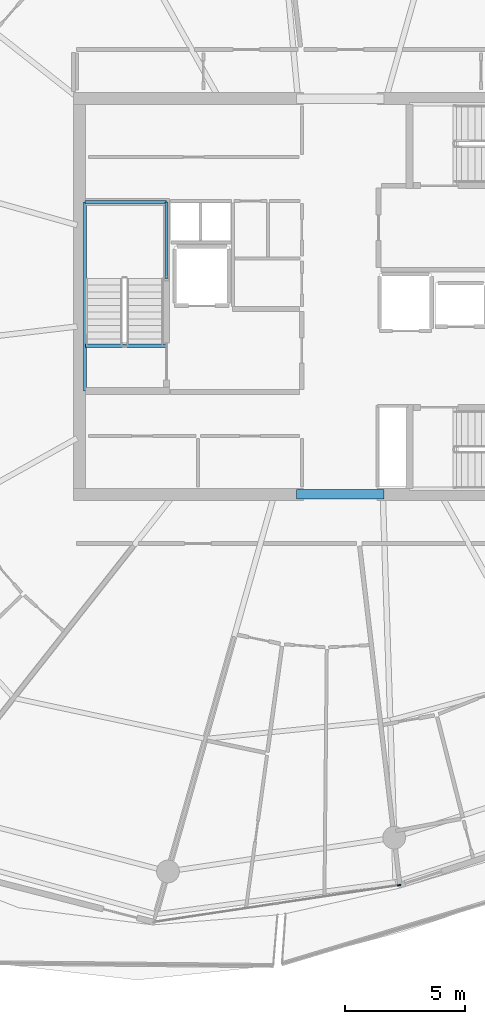
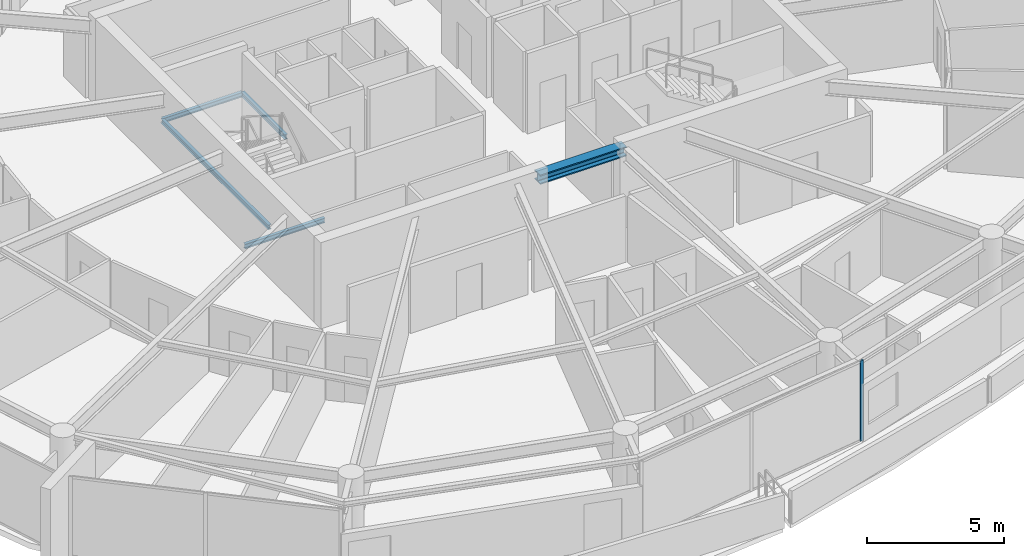
# One storey, part 9 of 31: 5 beams, 1 member, 1 element without a shape of its own.
"""IFC4 building model written with IfcOpenShell, lengths in metres."""

from ifc_helpers import new_model, si_unit, direction, frame, origin, origin_2d, place, context, subcontext, project, spatial, rectangle, i_section, extrude, material, layer, layer_set, material_profile, profile_set, type_object, element, aggregate, save


model = new_model("IFC4")

# Units and contexts
model_context = context("Model", 3, precision=1e-05, world=origin(), true_north=direction((0.0, 1.0)))
body_context = subcontext(model_context, "Body", "Model", "MODEL_VIEW")
ifc_project = project(units=[si_unit("LENGTHUNIT", "METRE"), si_unit("AREAUNIT", "SQUARE_METRE"), si_unit("VOLUMEUNIT", "CUBIC_METRE"), si_unit("PLANEANGLEUNIT", "RADIAN"), si_unit("MASSUNIT", "GRAM", prefix="KILO")], contexts=[model_context])

# Site, building, storey
site_placement = place(None, origin())
site = spatial("IfcSite", under=ifc_project, at=site_placement, CompositionType="ELEMENT")
building_placement = place(site_placement, origin())
building = spatial("IfcBuilding", under=site, at=building_placement, Name="Kazma Halo Residences", CompositionType="ELEMENT")
storey_placement = place(building_placement, frame((0.0, 0.0, 275.199951171875)))
storey = spatial("IfcBuildingStorey", under=building, at=storey_placement, Name="L69", CompositionType="ELEMENT", Elevation=275.199951171875)

# Beams
ifc_material_1 = material(Name="Steel S355", Category="steel")
ifc_material_profile_1 = material_profile(ifc_material_1, i_section(OverallWidth=0.408935546875, OverallDepth=0.425048828125, WebThickness=0.03271484375, FlangeThickness=0.052490234375, FilletRadius=0.02001953125, at=origin_2d()), Name="W360x421")
ifc_profile_set_1 = profile_set([ifc_material_profile_1], Name="Steel S355")
beam_type_1 = type_object("IfcBeamType", Name="BM-CORE-W360H", PredefinedType="BEAM", material=ifc_profile_set_1)
beam_1_placement = place(storey_placement, frame((46.60009765625, 33.75, 3.37744140625), z_axis=(1.0, 0.0, 0.0), x_axis=(0.0, 1.0, 0.0)))
element("IfcBeam", 1, at=beam_1_placement, inside=storey, type_object=beam_type_1, Name="L69 core coupling beam S", PredefinedType="BEAM", context=body_context, shape_type="SweptSolid", body=[
    extrude(i_section(OverallWidth=0.408935546875, OverallDepth=0.425048828125, WebThickness=0.03271484375, FlangeThickness=0.052490234375, FilletRadius=0.02001953125, at=origin_2d()), origin(), (0.0, 0.0, 1.0), 3.64990234375),
])
ifc_material_profile_2 = material_profile(ifc_material_1, i_section(OverallWidth=0.133056640625, OverallDepth=0.20703125, WebThickness=0.005859375, FlangeThickness=0.00830078125, FilletRadius=0.010009765625, at=origin_2d()), Name="W200x26.6")
ifc_profile_set_2 = profile_set([ifc_material_profile_2], Name="Steel S355")
beam_type_2 = type_object("IfcBeamType", Name="BM-TRIM-W200", PredefinedType="BEAM", material=ifc_profile_set_2)
beam_2_placement = place(storey_placement, frame((37.800048828125, 39.949951171875, -0.369873046875), z_axis=(1.0, 0.0, 0.0), x_axis=(0.0, 1.0, 0.0)))
element("IfcBeam", 2, at=beam_2_placement, inside=storey, type_object=beam_type_2, Name="L69 ST-01 floor landing support beam", PredefinedType="BEAM", context=body_context, shape_type="SweptSolid", body=[
    extrude(i_section(OverallWidth=0.133056640625, OverallDepth=0.20703125, WebThickness=0.005859375, FlangeThickness=0.00830078125, FilletRadius=0.010009765625, at=origin_2d()), origin(), (0.0, 0.0, 1.0), 3.3798828125),
])
beam_3_placement = place(storey_placement, frame((37.780029296875, 38.06005859375, 1.6201171875), z_axis=(0.0, 1.0, 0.0), x_axis=(-1.0, 0.0, 0.0)))
element("IfcBeam", 3, at=beam_3_placement, inside=storey, type_object=beam_type_2, Name="L69 ST-01 landing west wall ledger", PredefinedType="BEAM", context=body_context, shape_type="SweptSolid", body=[
    extrude(i_section(OverallWidth=0.133056640625, OverallDepth=0.20703125, WebThickness=0.005859375, FlangeThickness=0.00830078125, FilletRadius=0.010009765625, at=origin_2d()), origin(), (0.0, 0.0, 1.0), 7.8798828125),
])
beam_4_placement = place(storey_placement, frame((41.179931640625, 42.75, 1.6201171875), z_axis=(0.0, 1.0, 0.0), x_axis=(-1.0, 0.0, 0.0)))
element("IfcBeam", 4, at=beam_4_placement, inside=storey, type_object=beam_type_2, Name="L69 ST-01 landing east wall ledger", PredefinedType="BEAM", context=body_context, shape_type="SweptSolid", body=[
    extrude(i_section(OverallWidth=0.133056640625, OverallDepth=0.20703125, WebThickness=0.005859375, FlangeThickness=0.00830078125, FilletRadius=0.010009765625, at=origin_2d()), origin(), (0.0, 0.0, 1.0), 3.18994140625),
])
beam_5_placement = place(storey_placement, frame((37.780029296875, 45.93994140625, 1.6201171875), z_axis=(1.0, 0.0, 0.0), x_axis=(0.0, 1.0, 0.0)))
element("IfcBeam", 5, at=beam_5_placement, inside=storey, type_object=beam_type_2, Name="L69 ST-01 landing end wall ledger", PredefinedType="BEAM", context=body_context, shape_type="SweptSolid", body=[
    extrude(i_section(OverallWidth=0.133056640625, OverallDepth=0.20703125, WebThickness=0.005859375, FlangeThickness=0.00830078125, FilletRadius=0.010009765625, at=origin_2d()), origin(), (0.0, 0.0, 1.0), 3.39990234375),
])

# Curtain wall, member
ifc_material_2 = material(Name="Aluminium AW-6063 T6 and Triple-Silver Low-E Glass", Category="aluminium")
ifc_layer = layer(ifc_material_2, 0.139892578125)
ifc_layer_set = layer_set([ifc_layer], Name="Aluminium AW-6063 T6 and Triple-Silver Low-E Glass")
curtain_wall_type = type_object("IfcCurtainWallType", Name="CW-SYS-5", PredefinedType="NOTDEFINED", material=ifc_layer_set)
curtain_wall_placement = place(storey_placement, origin())
curtain_wall = element("IfcCurtainWall", 6, at=curtain_wall_placement, inside=storey, type_object=curtain_wall_type, Name="L69 unitised curtain wall B11", PredefinedType="NOTDEFINED")
ifc_material_3 = material(Name="Aluminium AW-6063 T6", Category="aluminium")
ifc_material_profile_3 = material_profile(ifc_material_3, rectangle(XDim=0.06005859375, YDim=0.139892578125, at=origin_2d()), Name="CWM-60x140")
ifc_profile_set_3 = profile_set([ifc_material_profile_3], Name="Aluminium AW-6063 T6")
member_type = type_object("IfcMemberType", Name="CW-SYS-5-MUL", PredefinedType="MULLION", material=ifc_profile_set_3)
member_placement = place(storey_placement, frame((50.875732421875, 17.447265625, 0.0), z_axis=(0.0, 0.0, 1.0), x_axis=(-0.148697080374, 0.988882792998, 0.0)))
member = element("IfcMember", 7, at=member_placement, type_object=member_type, Name="CWS-5 mullion 3", PredefinedType="MULLION", context=body_context, shape_type="SweptSolid", body=[
    extrude(rectangle(XDim=0.06005859375, YDim=0.139892578125, at=origin_2d()), origin(), (0.0, 0.0, 1.0), 3.590087890625),
])
aggregate(curtain_wall, [member])

save(model, "model.ifc")
